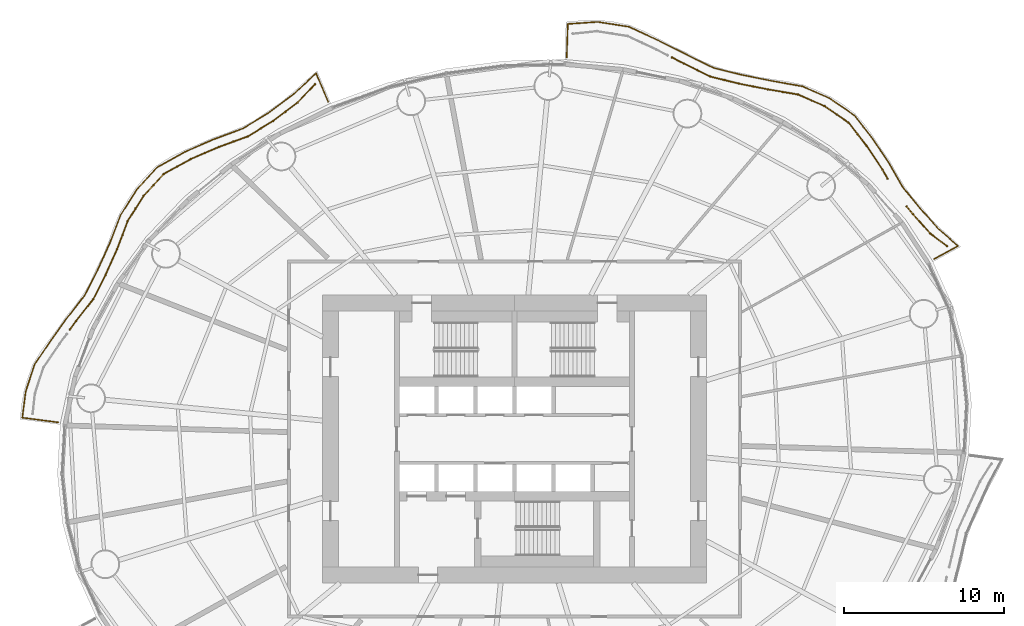
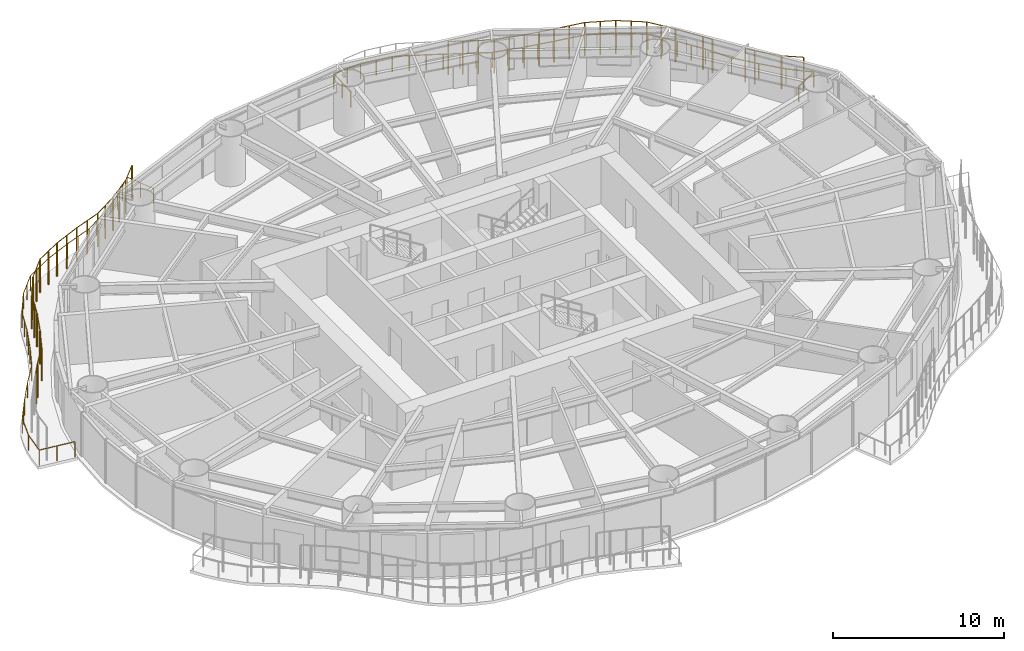
# One storey, part 16 of 17: 5 railings.
"""IFC4 building model written with IfcOpenShell, lengths in metres."""

from ifc_helpers import new_model, si_unit, direction, frame, origin, origin_2d, place, context, subcontext, project, spatial, circle, extrude, material, type_object, element, save


model = new_model("IFC4")

# Units and contexts
model_context = context("Model", 3, precision=1e-05, world=origin(), true_north=direction((0.0, 1.0)))
body_context = subcontext(model_context, "Body", "Model", "MODEL_VIEW")
ifc_project = project(units=[si_unit("LENGTHUNIT", "METRE"), si_unit("AREAUNIT", "SQUARE_METRE"), si_unit("VOLUMEUNIT", "CUBIC_METRE"), si_unit("PLANEANGLEUNIT", "RADIAN"), si_unit("MASSUNIT", "GRAM", prefix="KILO")], contexts=[model_context])

# Site, building, storey
site_placement = place(None, origin())
site = spatial("IfcSite", under=ifc_project, at=site_placement, CompositionType="ELEMENT")
building_placement = place(site_placement, origin())
building = spatial("IfcBuilding", under=site, at=building_placement, Name="Vermilion Reach Broadcast Tower", CompositionType="ELEMENT")
storey_placement = place(building_placement, frame((0.0, 0.0, 76.699951171875)))
storey = spatial("IfcBuildingStorey", under=building, at=storey_placement, Name="L16", CompositionType="ELEMENT", Elevation=76.699951171875)

# Railings
ifc_material_1 = material(Name="Terracotta baguette", Category="masonry")
railing_type_1 = type_object("IfcRailingType", Name="BAGUETTE SCREEN", PredefinedType="USERDEFINED", material=ifc_material_1)
railing_1_placement = place(storey_placement, frame((21.0341796875, 12.06201171875, 0.0)))
element("IfcRailing", 1, at=railing_1_placement, inside=storey, type_object=railing_type_1, Name="Baguette screen L16 group 1 part 1", ObjectType="BAGUETTE SCREEN", PredefinedType="USERDEFINED", context=body_context, shape_type="SweptSolid", body=[
    extrude(circle(Radius=0.030029296875, at=origin_2d()), frame((0.0, 0.0, 2.369873046875), z_axis=(-0.800873849916, 0.598833095713, 0.0), x_axis=(-0.598833095713, -0.800873849916, 0.0)), (0.0, 0.0, 1.0), 1.30615234375),
    extrude(circle(Radius=0.030029296875, at=origin_2d()), frame((-1.046142578125, 0.7822265625, 2.369873046875), z_axis=(-0.666468364824, 0.745533311589, 0.0), x_axis=(-0.745533311589, -0.666468364824, 0.0)), (0.0, 0.0, 1.0), 1.6396484375),
    extrude(circle(Radius=0.030029296875, at=origin_2d()), frame((-2.138916015625, 2.004638671875, 2.369873046875), z_axis=(-0.634532943521, 0.772895816774, 0.0), x_axis=(-0.772895816774, -0.634532943521, 0.0)), (0.0, 0.0, 1.0), 0.605224609375),
    extrude(circle(Radius=0.050048828125, at=origin_2d()), origin(), (0.0, 0.0, 1.0), 2.33984375),
    extrude(circle(Radius=0.050048828125, at=origin_2d()), frame((-1.046142578125, 0.7822265625, 0.0)), (0.0, 0.0, 1.0), 2.33984375),
    extrude(circle(Radius=0.050048828125, at=origin_2d()), frame((-2.138916015625, 2.004638671875, 0.0)), (0.0, 0.0, 1.0), 2.33984375),
    extrude(circle(Radius=0.050048828125, at=origin_2d()), frame((-2.52294921875, 2.472412109375, 0.0)), (0.0, 0.0, 1.0), 2.33984375),
])
railing_2_placement = place(storey_placement, frame((17.315673828125, 16.28125, 0.0)))
element("IfcRailing", 2, at=railing_2_placement, inside=storey, type_object=railing_type_1, Name="Baguette screen L16 group 1 part 2", ObjectType="BAGUETTE SCREEN", PredefinedType="USERDEFINED", context=body_context, shape_type="SweptSolid", body=[
    extrude(circle(Radius=0.030029296875, at=origin_2d()), frame((0.0, 0.0, 2.369873046875), z_axis=(-0.492430800688, 0.870351599374, 0.0), x_axis=(-0.870351599374, -0.492430800688, 0.0)), (0.0, 0.0, 1.0), 0.64599609375),
    extrude(circle(Radius=0.030029296875, at=origin_2d()), frame((-0.318115234375, 0.562255859375, 2.369873046875), z_axis=(-0.556616825669, 0.830769347883, 0.0), x_axis=(-0.830769347883, -0.556616825669, 0.0)), (0.0, 0.0, 1.0), 1.791748046875),
    extrude(circle(Radius=0.030029296875, at=origin_2d()), frame((-1.3154296875, 2.05078125, 2.369873046875), z_axis=(-0.611986280077, 0.79086837906, 0.0), x_axis=(-0.79086837906, -0.611986280077, 0.0)), (0.0, 0.0, 1.0), 1.81787109375),
    extrude(circle(Radius=0.030029296875, at=origin_2d()), frame((-2.427978515625, 3.488525390625, 2.369873046875), z_axis=(-0.822683646869, 0.568499443425, 0.0), x_axis=(-0.568499443425, -0.822683646869, 0.0)), (0.0, 0.0, 1.0), 1.822998046875),
    extrude(circle(Radius=0.030029296875, at=origin_2d()), frame((-3.927734375, 4.52490234375, 2.369873046875), z_axis=(-0.916984905679, 0.398921900573, 0.0), x_axis=(-0.398921900573, -0.916984905679, 0.0)), (0.0, 0.0, 1.0), 1.82373046875),
    extrude(circle(Radius=0.030029296875, at=origin_2d()), frame((-5.60009765625, 5.25244140625, 2.369873046875), z_axis=(-0.985507941268, 0.169629294925, 0.0), x_axis=(-0.169629294925, -0.985507941268, 0.0)), (0.0, 0.0, 1.0), 1.914306640625),
    extrude(circle(Radius=0.030029296875, at=origin_2d()), frame((-7.486572265625, 5.5771484375, 2.369873046875), z_axis=(-0.981113883505, 0.193430989228, 0.0), x_axis=(-0.193430989228, -0.981113883505, 0.0)), (0.0, 0.0, 1.0), 1.83642578125),
    extrude(circle(Radius=0.030029296875, at=origin_2d()), frame((-9.288330078125, 5.932373046875, 2.369873046875), z_axis=(-0.971270243986, 0.237979228395, 0.0), x_axis=(-0.237979228395, -0.971270243986, 0.0)), (0.0, 0.0, 1.0), 1.8291015625),
    extrude(circle(Radius=0.030029296875, at=origin_2d()), frame((-11.06494140625, 6.36767578125, 2.369873046875), z_axis=(-0.896557583124, 0.442927195082, 0.0), x_axis=(-0.442927195082, -0.896557583124, 0.0)), (0.0, 0.0, 1.0), 1.84765625),
    extrude(circle(Radius=0.030029296875, at=origin_2d()), frame((-12.721435546875, 7.18603515625, 2.369873046875), z_axis=(-0.890880975061, 0.454236819593, 0.0), x_axis=(-0.454236819593, -0.890880975061, 0.0)), (0.0, 0.0, 1.0), 0.846435546875),
    extrude(circle(Radius=0.050048828125, at=origin_2d()), origin(), (0.0, 0.0, 1.0), 2.33984375),
    extrude(circle(Radius=0.050048828125, at=origin_2d()), frame((-0.318115234375, 0.562255859375, 0.0)), (0.0, 0.0, 1.0), 2.33984375),
    extrude(circle(Radius=0.050048828125, at=origin_2d()), frame((-1.3154296875, 2.05078125, 0.0)), (0.0, 0.0, 1.0), 2.33984375),
    extrude(circle(Radius=0.050048828125, at=origin_2d()), frame((-1.87158203125, 2.76953125, 0.0)), (0.0, 0.0, 1.0), 2.33984375),
    extrude(circle(Radius=0.050048828125, at=origin_2d()), frame((-2.427978515625, 3.488525390625, 0.0)), (0.0, 0.0, 1.0), 2.33984375),
    extrude(circle(Radius=0.050048828125, at=origin_2d()), frame((-3.177734375, 4.0068359375, 0.0)), (0.0, 0.0, 1.0), 2.33984375),
    extrude(circle(Radius=0.050048828125, at=origin_2d()), frame((-3.927734375, 4.52490234375, 0.0)), (0.0, 0.0, 1.0), 2.33984375),
    extrude(circle(Radius=0.050048828125, at=origin_2d()), frame((-4.763916015625, 4.888671875, 0.0)), (0.0, 0.0, 1.0), 2.33984375),
    extrude(circle(Radius=0.050048828125, at=origin_2d()), frame((-5.60009765625, 5.25244140625, 0.0)), (0.0, 0.0, 1.0), 2.33984375),
    extrude(circle(Radius=0.050048828125, at=origin_2d()), frame((-6.54345703125, 5.414794921875, 0.0)), (0.0, 0.0, 1.0), 2.33984375),
    extrude(circle(Radius=0.050048828125, at=origin_2d()), frame((-7.486572265625, 5.5771484375, 0.0)), (0.0, 0.0, 1.0), 2.33984375),
    extrude(circle(Radius=0.050048828125, at=origin_2d()), frame((-8.387451171875, 5.7548828125, 0.0)), (0.0, 0.0, 1.0), 2.33984375),
    extrude(circle(Radius=0.050048828125, at=origin_2d()), frame((-9.288330078125, 5.932373046875, 0.0)), (0.0, 0.0, 1.0), 2.33984375),
    extrude(circle(Radius=0.050048828125, at=origin_2d()), frame((-10.1767578125, 6.14990234375, 0.0)), (0.0, 0.0, 1.0), 2.33984375),
    extrude(circle(Radius=0.050048828125, at=origin_2d()), frame((-11.06494140625, 6.36767578125, 0.0)), (0.0, 0.0, 1.0), 2.33984375),
    extrude(circle(Radius=0.050048828125, at=origin_2d()), frame((-11.89306640625, 6.77685546875, 0.0)), (0.0, 0.0, 1.0), 2.33984375),
    extrude(circle(Radius=0.050048828125, at=origin_2d()), frame((-12.721435546875, 7.18603515625, 0.0)), (0.0, 0.0, 1.0), 2.33984375),
    extrude(circle(Radius=0.050048828125, at=origin_2d()), frame((-13.4755859375, 7.570556640625, 0.0)), (0.0, 0.0, 1.0), 2.33984375),
])
railing_3_placement = place(storey_placement, frame((-18.466552734375, 22.17529296875, 0.0)))
element("IfcRailing", 3, at=railing_3_placement, inside=storey, type_object=railing_type_1, Name="Baguette screen L16 group 2 part 1", ObjectType="BAGUETTE SCREEN", PredefinedType="USERDEFINED", context=body_context, shape_type="SweptSolid", body=[
    extrude(circle(Radius=0.030029296875, at=origin_2d()), frame((0.0, 0.0, 2.369873046875), z_axis=(-0.688533912002, -0.725204145068, 0.0), x_axis=(0.725204145068, -0.688533912002, 0.0)), (0.0, 0.0, 1.0), 1.577880859375),
    extrude(circle(Radius=0.030029296875, at=origin_2d()), frame((-1.08642578125, -1.144287109375, 2.369873046875), z_axis=(-0.798727996395, -0.601692269997, 0.0), x_axis=(0.601692269997, -0.798727996395, 0.0)), (0.0, 0.0, 1.0), 1.914306640625),
    extrude(circle(Radius=0.030029296875, at=origin_2d()), frame((-2.615478515625, -2.296142578125, 2.369873046875), z_axis=(-0.854534567694, -0.519394525016, 0.0), x_axis=(0.519394525016, -0.854534567694, 0.0)), (0.0, 0.0, 1.0), 1.85107421875),
    extrude(circle(Radius=0.030029296875, at=origin_2d()), frame((-4.197265625, -3.257568359375, 2.369873046875), z_axis=(-0.939012953906, -0.343881770957, 0.0), x_axis=(0.343881770957, -0.939012953906, 0.0)), (0.0, 0.0, 1.0), 1.924072265625),
    extrude(circle(Radius=0.030029296875, at=origin_2d()), frame((-6.00390625, -3.919189453125, 2.369873046875), z_axis=(-0.918544312748, -0.395318030854, 0.0), x_axis=(0.395318030854, -0.918544312748, 0.0)), (0.0, 0.0, 1.0), 1.916259765625),
    extrude(circle(Radius=0.030029296875, at=origin_2d()), frame((-7.76416015625, -4.6767578125, 2.369873046875), z_axis=(-0.875247173289, -0.483675909726, 0.0), x_axis=(0.483675909726, -0.875247173289, 0.0)), (0.0, 0.0, 1.0), 1.9296875),
    extrude(circle(Radius=0.030029296875, at=origin_2d()), frame((-9.453125, -5.610107421875, 2.369873046875), z_axis=(-0.678618561745, -0.734490876495, 0.0), x_axis=(0.734490876495, -0.678618561745, 0.0)), (0.0, 0.0, 1.0), 1.857177734375),
    extrude(circle(Radius=0.030029296875, at=origin_2d()), frame((-10.71337890625, -6.97412109375, 2.369873046875), z_axis=(-0.531683421981, -0.846943173295, 0.0), x_axis=(0.846943173295, -0.531683421981, 0.0)), (0.0, 0.0, 1.0), 1.874755859375),
    extrude(circle(Radius=0.030029296875, at=origin_2d()), frame((-11.710205078125, -8.56201171875, 2.369873046875), z_axis=(-0.351353222661, -0.936242977504, 0.0), x_axis=(0.936242977504, -0.351353222661, 0.0)), (0.0, 0.0, 1.0), 1.86279296875),
    extrude(circle(Radius=0.030029296875, at=origin_2d()), frame((-12.36474609375, -10.30615234375, 2.369873046875), z_axis=(-0.411089849201, -0.911594830988, 0.0), x_axis=(0.911594830988, -0.411089849201, 0.0)), (0.0, 0.0, 1.0), 1.777587890625),
    extrude(circle(Radius=0.030029296875, at=origin_2d()), frame((-13.095458984375, -11.926513671875, 2.369873046875), z_axis=(-0.451931176923, -0.892052807476, 0.0), x_axis=(0.892052807476, -0.451931176923, 0.0)), (0.0, 0.0, 1.0), 1.6953125),
    extrude(circle(Radius=0.030029296875, at=origin_2d()), frame((-13.861572265625, -13.438720703125, 2.369873046875), z_axis=(-0.617970508266, -0.786201278881, 0.0), x_axis=(0.786201278881, -0.617970508266, 0.0)), (0.0, 0.0, 1.0), 1.737060546875),
    extrude(circle(Radius=0.030029296875, at=origin_2d()), frame((-14.93505859375, -14.804443359375, 2.369873046875), z_axis=(-0.588643059156, -0.808393065846, 0.0), x_axis=(0.808393065846, -0.588643059156, 0.0)), (0.0, 0.0, 1.0), 0.646484375),
    extrude(circle(Radius=0.050048828125, at=origin_2d()), origin(), (0.0, 0.0, 1.0), 2.33984375),
    extrude(circle(Radius=0.050048828125, at=origin_2d()), frame((-1.08642578125, -1.144287109375, 0.0)), (0.0, 0.0, 1.0), 2.33984375),
    extrude(circle(Radius=0.050048828125, at=origin_2d()), frame((-1.85107421875, -1.72021484375, 0.0)), (0.0, 0.0, 1.0), 2.33984375),
    extrude(circle(Radius=0.050048828125, at=origin_2d()), frame((-2.615478515625, -2.296142578125, 0.0)), (0.0, 0.0, 1.0), 2.33984375),
    extrude(circle(Radius=0.050048828125, at=origin_2d()), frame((-3.40625, -2.77685546875, 0.0)), (0.0, 0.0, 1.0), 2.33984375),
    extrude(circle(Radius=0.050048828125, at=origin_2d()), frame((-4.197265625, -3.257568359375, 0.0)), (0.0, 0.0, 1.0), 2.33984375),
    extrude(circle(Radius=0.050048828125, at=origin_2d()), frame((-5.1005859375, -3.58837890625, 0.0)), (0.0, 0.0, 1.0), 2.33984375),
    extrude(circle(Radius=0.050048828125, at=origin_2d()), frame((-6.00390625, -3.919189453125, 0.0)), (0.0, 0.0, 1.0), 2.33984375),
    extrude(circle(Radius=0.050048828125, at=origin_2d()), frame((-6.884033203125, -4.2978515625, 0.0)), (0.0, 0.0, 1.0), 2.33984375),
    extrude(circle(Radius=0.050048828125, at=origin_2d()), frame((-7.76416015625, -4.6767578125, 0.0)), (0.0, 0.0, 1.0), 2.33984375),
    extrude(circle(Radius=0.050048828125, at=origin_2d()), frame((-8.608642578125, -5.1435546875, 0.0)), (0.0, 0.0, 1.0), 2.33984375),
    extrude(circle(Radius=0.050048828125, at=origin_2d()), frame((-9.453125, -5.610107421875, 0.0)), (0.0, 0.0, 1.0), 2.33984375),
    extrude(circle(Radius=0.050048828125, at=origin_2d()), frame((-10.083251953125, -6.2919921875, 0.0)), (0.0, 0.0, 1.0), 2.33984375),
    extrude(circle(Radius=0.050048828125, at=origin_2d()), frame((-10.71337890625, -6.97412109375, 0.0)), (0.0, 0.0, 1.0), 2.33984375),
    extrude(circle(Radius=0.050048828125, at=origin_2d()), frame((-11.2119140625, -7.76806640625, 0.0)), (0.0, 0.0, 1.0), 2.33984375),
    extrude(circle(Radius=0.050048828125, at=origin_2d()), frame((-11.710205078125, -8.56201171875, 0.0)), (0.0, 0.0, 1.0), 2.33984375),
    extrude(circle(Radius=0.050048828125, at=origin_2d()), frame((-12.03759765625, -9.43408203125, 0.0)), (0.0, 0.0, 1.0), 2.33984375),
    extrude(circle(Radius=0.050048828125, at=origin_2d()), frame((-12.36474609375, -10.30615234375, 0.0)), (0.0, 0.0, 1.0), 2.33984375),
    extrude(circle(Radius=0.050048828125, at=origin_2d()), frame((-13.095458984375, -11.926513671875, 0.0)), (0.0, 0.0, 1.0), 2.33984375),
    extrude(circle(Radius=0.050048828125, at=origin_2d()), frame((-13.861572265625, -13.438720703125, 0.0)), (0.0, 0.0, 1.0), 2.33984375),
    extrude(circle(Radius=0.050048828125, at=origin_2d()), frame((-14.93505859375, -14.804443359375, 0.0)), (0.0, 0.0, 1.0), 2.33984375),
    extrude(circle(Radius=0.050048828125, at=origin_2d()), frame((-15.315673828125, -15.3271484375, 0.0)), (0.0, 0.0, 1.0), 2.33984375),
])
ifc_material_2 = material(Name="Stainless steel 316 balustrade", Category="steel")
railing_type_2 = type_object("IfcRailingType", Name="Balcony guard 1100", PredefinedType="BALUSTRADE", material=ifc_material_2)
railing_4_placement = place(storey_placement, frame((20.23046875, 11.248291015625, 0.0)))
element("IfcRailing", 4, at=railing_4_placement, inside=storey, type_object=railing_type_2, Name="Balcony guard L16 group 1", PredefinedType="BALUSTRADE", context=body_context, shape_type="SweptSolid", body=[
    extrude(circle(Radius=0.02490234375, at=origin_2d()), frame((0.0, 0.0, 1.0751953125), z_axis=(0.877681562686, 0.479244274376, 0.0), x_axis=(-0.479244274376, 0.877681562686, 0.0)), (0.0, 0.0, 1.0), 1.700927734375),
    extrude(circle(Radius=0.02490234375, at=origin_2d()), frame((1.492919921875, 0.815185546875, 1.0751953125), z_axis=(-0.75136564257, 0.659886104692, 0.0), x_axis=(-0.659886104692, -0.75136564257, 0.0)), (0.0, 0.0, 1.0), 1.66259765625),
    extrude(circle(Radius=0.02490234375, at=origin_2d()), frame((0.24365234375, 1.912353515625, 1.0751953125), z_axis=(-0.664309796436, 0.74745735287, 0.0), x_axis=(-0.74745735287, -0.664309796436, 0.0)), (0.0, 0.0, 1.0), 1.682373046875),
    extrude(circle(Radius=0.02490234375, at=origin_2d()), frame((-0.8740234375, 3.169921875, 1.0751953125), z_axis=(-0.634668928803, 0.772784155384, 0.0), x_axis=(-0.772784155384, -0.634668928803, 0.0)), (0.0, 0.0, 1.0), 1.69873046875),
    extrude(circle(Radius=0.02490234375, at=origin_2d()), frame((-1.9521484375, 4.482666015625, 1.0751953125), z_axis=(-0.497347936852, 0.867551168352, 0.0), x_axis=(-0.867551168352, -0.497347936852, 0.0)), (0.0, 0.0, 1.0), 1.7607421875),
    extrude(circle(Radius=0.02490234375, at=origin_2d()), frame((-2.827880859375, 6.01025390625, 1.0751953125), z_axis=(-0.561051498101, 0.827780898837, 0.0), x_axis=(-0.827780898837, -0.561051498101, 0.0)), (0.0, 0.0, 1.0), 1.83154296875),
    extrude(circle(Radius=0.02490234375, at=origin_2d()), frame((-3.85546875, 7.5263671875, 1.0751953125), z_axis=(-0.615978367801, 0.787763067427, 0.0), x_axis=(-0.787763067427, -0.615978367801, 0.0)), (0.0, 0.0, 1.0), 1.856201171875),
    extrude(circle(Radius=0.02490234375, at=origin_2d()), frame((-4.998779296875, 8.988525390625, 1.0751953125), z_axis=(-0.82273925548, 0.568418962995, 0.0), x_axis=(-0.568418962995, -0.82273925548, 0.0)), (0.0, 0.0, 1.0), 1.8623046875),
    extrude(circle(Radius=0.02490234375, at=origin_2d()), frame((-6.531005859375, 10.047119140625, 1.0751953125), z_axis=(-0.915973545385, 0.401238662339, 0.0), x_axis=(-0.401238662339, -0.915973545385, 0.0)), (0.0, 0.0, 1.0), 1.860595703125),
    extrude(circle(Radius=0.02490234375, at=origin_2d()), frame((-8.2353515625, 10.793701171875, 1.0751953125), z_axis=(-0.984555792976, 0.17507110132, 0.0), x_axis=(-0.17507110132, -0.984555792976, 0.0)), (0.0, 0.0, 1.0), 1.949462890625),
    extrude(circle(Radius=0.02490234375, at=origin_2d()), frame((-10.15478515625, 11.135009765625, 1.0751953125), z_axis=(-0.98029867201, 0.19752091954, 0.0), x_axis=(-0.19752091954, -0.98029867201, 0.0)), (0.0, 0.0, 1.0), 1.871337890625),
    extrude(circle(Radius=0.02490234375, at=origin_2d()), frame((-11.9892578125, 11.504638671875, 1.0751953125), z_axis=(-0.970793755979, 0.239915575469, 0.0), x_axis=(-0.239915575469, -0.970793755979, 0.0)), (0.0, 0.0, 1.0), 1.8642578125),
    extrude(circle(Radius=0.02490234375, at=origin_2d()), frame((-13.799072265625, 11.951904296875, 1.0751953125), z_axis=(-0.897954915266, 0.440087457388, 0.0), x_axis=(-0.440087457388, -0.897954915266, 0.0)), (0.0, 0.0, 1.0), 1.881103515625),
    extrude(circle(Radius=0.02490234375, at=origin_2d()), frame((-15.48828125, 12.77978515625, 1.0751953125), z_axis=(-0.892834739586, 0.450384422232, 0.0), x_axis=(-0.450384422232, -0.892834739586, 0.0)), (0.0, 0.0, 1.0), 1.96923828125),
    extrude(circle(Radius=0.02490234375, at=origin_2d()), frame((-17.24658203125, 13.666748046875, 1.0751953125), z_axis=(-0.906577248505, 0.422039918128, 0.0), x_axis=(-0.422039918128, -0.906577248505, 0.0)), (0.0, 0.0, 1.0), 2.0078125),
    extrude(circle(Radius=0.02490234375, at=origin_2d()), frame((-19.06689453125, 14.51416015625, 1.0751953125), z_axis=(-0.987951608789, 0.154763105072, 0.0), x_axis=(-0.154763105072, -0.987951608789, 0.0)), (0.0, 0.0, 1.0), 1.986083984375),
    extrude(circle(Radius=0.02490234375, at=origin_2d()), frame((-21.029052734375, 14.821533203125, 1.0751953125), z_axis=(-0.997680070473, -0.068076993044, 0.0), x_axis=(0.068076993044, -0.997680070473, 0.0)), (0.0, 0.0, 1.0), 1.8720703125),
    extrude(circle(Radius=0.02490234375, at=origin_2d()), frame((-22.896728515625, 14.694091796875, 1.0751953125), z_axis=(-0.032067808032, -0.99948569559, 0.0), x_axis=(0.99948569559, -0.032067808032, 0.0)), (0.0, 0.0, 1.0), 2.0859375),
    extrude(circle(Radius=0.02490234375, at=origin_2d()), origin(), (0.0, 0.0, 1.0), 1.050048828125),
    extrude(circle(Radius=0.02490234375, at=origin_2d()), frame((1.492919921875, 0.815185546875, 0.0)), (0.0, 0.0, 1.0), 1.050048828125),
    extrude(circle(Radius=0.02490234375, at=origin_2d()), frame((0.24365234375, 1.912353515625, 0.0)), (0.0, 0.0, 1.0), 1.050048828125),
    extrude(circle(Radius=0.02490234375, at=origin_2d()), frame((-0.8740234375, 3.169921875, 0.0)), (0.0, 0.0, 1.0), 1.050048828125),
    extrude(circle(Radius=0.02490234375, at=origin_2d()), frame((-1.9521484375, 4.482666015625, 0.0)), (0.0, 0.0, 1.0), 1.050048828125),
    extrude(circle(Radius=0.02490234375, at=origin_2d()), frame((-2.827880859375, 6.01025390625, 0.0)), (0.0, 0.0, 1.0), 1.050048828125),
    extrude(circle(Radius=0.02490234375, at=origin_2d()), frame((-3.341796875, 6.768310546875, 0.0)), (0.0, 0.0, 1.0), 1.050048828125),
    extrude(circle(Radius=0.02490234375, at=origin_2d()), frame((-3.85546875, 7.5263671875, 0.0)), (0.0, 0.0, 1.0), 1.050048828125),
    extrude(circle(Radius=0.02490234375, at=origin_2d()), frame((-4.42724609375, 8.25732421875, 0.0)), (0.0, 0.0, 1.0), 1.050048828125),
    extrude(circle(Radius=0.02490234375, at=origin_2d()), frame((-4.998779296875, 8.988525390625, 0.0)), (0.0, 0.0, 1.0), 1.050048828125),
    extrude(circle(Radius=0.02490234375, at=origin_2d()), frame((-5.764892578125, 9.517822265625, 0.0)), (0.0, 0.0, 1.0), 1.050048828125),
    extrude(circle(Radius=0.02490234375, at=origin_2d()), frame((-6.531005859375, 10.047119140625, 0.0)), (0.0, 0.0, 1.0), 1.050048828125),
    extrude(circle(Radius=0.02490234375, at=origin_2d()), frame((-7.38330078125, 10.42041015625, 0.0)), (0.0, 0.0, 1.0), 1.050048828125),
    extrude(circle(Radius=0.02490234375, at=origin_2d()), frame((-8.2353515625, 10.793701171875, 0.0)), (0.0, 0.0, 1.0), 1.050048828125),
    extrude(circle(Radius=0.02490234375, at=origin_2d()), frame((-9.195068359375, 10.96435546875, 0.0)), (0.0, 0.0, 1.0), 1.050048828125),
    extrude(circle(Radius=0.02490234375, at=origin_2d()), frame((-10.15478515625, 11.135009765625, 0.0)), (0.0, 0.0, 1.0), 1.050048828125),
    extrude(circle(Radius=0.02490234375, at=origin_2d()), frame((-11.072021484375, 11.31982421875, 0.0)), (0.0, 0.0, 1.0), 1.050048828125),
    extrude(circle(Radius=0.02490234375, at=origin_2d()), frame((-11.9892578125, 11.504638671875, 0.0)), (0.0, 0.0, 1.0), 1.050048828125),
    extrude(circle(Radius=0.02490234375, at=origin_2d()), frame((-12.89404296875, 11.728271484375, 0.0)), (0.0, 0.0, 1.0), 1.050048828125),
    extrude(circle(Radius=0.02490234375, at=origin_2d()), frame((-13.799072265625, 11.951904296875, 0.0)), (0.0, 0.0, 1.0), 1.050048828125),
    extrude(circle(Radius=0.02490234375, at=origin_2d()), frame((-14.6435546875, 12.36572265625, 0.0)), (0.0, 0.0, 1.0), 1.050048828125),
    extrude(circle(Radius=0.02490234375, at=origin_2d()), frame((-15.48828125, 12.77978515625, 0.0)), (0.0, 0.0, 1.0), 1.050048828125),
    extrude(circle(Radius=0.02490234375, at=origin_2d()), frame((-16.367431640625, 13.22314453125, 0.0)), (0.0, 0.0, 1.0), 1.050048828125),
    extrude(circle(Radius=0.02490234375, at=origin_2d()), frame((-17.24658203125, 13.666748046875, 0.0)), (0.0, 0.0, 1.0), 1.050048828125),
    extrude(circle(Radius=0.02490234375, at=origin_2d()), frame((-18.15673828125, 14.09033203125, 0.0)), (0.0, 0.0, 1.0), 1.050048828125),
    extrude(circle(Radius=0.02490234375, at=origin_2d()), frame((-19.06689453125, 14.51416015625, 0.0)), (0.0, 0.0, 1.0), 1.050048828125),
    extrude(circle(Radius=0.02490234375, at=origin_2d()), frame((-20.0478515625, 14.66796875, 0.0)), (0.0, 0.0, 1.0), 1.050048828125),
    extrude(circle(Radius=0.02490234375, at=origin_2d()), frame((-21.029052734375, 14.821533203125, 0.0)), (0.0, 0.0, 1.0), 1.050048828125),
    extrude(circle(Radius=0.02490234375, at=origin_2d()), frame((-21.962890625, 14.7578125, 0.0)), (0.0, 0.0, 1.0), 1.050048828125),
    extrude(circle(Radius=0.02490234375, at=origin_2d()), frame((-22.896728515625, 14.694091796875, 0.0)), (0.0, 0.0, 1.0), 1.050048828125),
    extrude(circle(Radius=0.02490234375, at=origin_2d()), frame((-22.93017578125, 13.651611328125, 0.0)), (0.0, 0.0, 1.0), 1.050048828125),
    extrude(circle(Radius=0.02490234375, at=origin_2d()), frame((-22.963623046875, 12.609130859375, 0.0)), (0.0, 0.0, 1.0), 1.050048828125),
])
railing_5_placement = place(storey_placement, frame((-17.643798828125, 21.077880859375, 0.0)))
element("IfcRailing", 5, at=railing_5_placement, inside=storey, type_object=railing_type_2, Name="Balcony guard L16 group 2", PredefinedType="BALUSTRADE", context=body_context, shape_type="SweptSolid", body=[
    extrude(circle(Radius=0.02490234375, at=origin_2d()), frame((0.0, 0.0, 1.0751953125), z_axis=(-0.390098124955, 0.920773290722, 0.0), x_axis=(-0.920773290722, -0.390098124955, 0.0)), (0.0, 0.0, 1.0), 1.929443359375),
    extrude(circle(Radius=0.02490234375, at=origin_2d()), frame((-0.752685546875, 1.776611328125, 1.0751953125), z_axis=(-0.734881404123, -0.678195636873, 0.0), x_axis=(0.678195636873, -0.734881404123, 0.0)), (0.0, 0.0, 1.0), 1.9208984375),
    extrude(circle(Radius=0.02490234375, at=origin_2d()), frame((-2.164306640625, 0.473876953125, 1.0751953125), z_axis=(-0.800391121057, -0.599478150839, 0.0), x_axis=(0.599478150839, -0.800391121057, 0.0)), (0.0, 0.0, 1.0), 1.94677734375),
    extrude(circle(Radius=0.02490234375, at=origin_2d()), frame((-3.722412109375, -0.693115234375, 1.0751953125), z_axis=(-0.854586225837, -0.51930952486, 0.0), x_axis=(0.51930952486, -0.854586225837, 0.0)), (0.0, 0.0, 1.0), 1.8837890625),
    extrude(circle(Radius=0.02490234375, at=origin_2d()), frame((-5.332275390625, -1.67138671875, 1.0751953125), z_axis=(-0.937559000311, -0.347826279823, 0.0), x_axis=(0.347826279823, -0.937559000311, 0.0)), (0.0, 0.0, 1.0), 1.956787109375),
    extrude(circle(Radius=0.02490234375, at=origin_2d()), frame((-7.1669921875, -2.35205078125, 1.0751953125), z_axis=(-0.916802993968, -0.399339792973, 0.0), x_axis=(0.399339792973, -0.916802993968, 0.0)), (0.0, 0.0, 1.0), 1.948974609375),
    extrude(circle(Radius=0.02490234375, at=origin_2d()), frame((-8.953857421875, -3.13037109375, 1.0751953125), z_axis=(-0.873441130906, -0.48692975966, 0.0), x_axis=(0.48692975966, -0.873441130906, 0.0)), (0.0, 0.0, 1.0), 1.96435546875),
    extrude(circle(Radius=0.02490234375, at=origin_2d()), frame((-10.669677734375, -4.0869140625, 1.0751953125), z_axis=(-0.679361724086, -0.733803548538, 0.0), x_axis=(0.733803548538, -0.679361724086, 0.0)), (0.0, 0.0, 1.0), 1.892333984375),
    extrude(circle(Radius=0.02490234375, at=origin_2d()), frame((-11.955322265625, -5.4755859375, 1.0751953125), z_axis=(-0.534468597011, -0.845188333337, 0.0), x_axis=(0.845188333337, -0.534468597011, 0.0)), (0.0, 0.0, 1.0), 1.91162109375),
    extrude(circle(Radius=0.02490234375, at=origin_2d()), frame((-12.97705078125, -7.09130859375, 1.0751953125), z_axis=(-0.356866856061, -0.934155258533, 0.0), x_axis=(0.934155258533, -0.356866856061, 0.0)), (0.0, 0.0, 1.0), 1.8984375),
    extrude(circle(Radius=0.02490234375, at=origin_2d()), frame((-13.654541015625, -8.86474609375, 1.0751953125), z_axis=(-0.414602959401, -0.910002409918, 0.0), x_axis=(0.910002409918, -0.414602959401, 0.0)), (0.0, 0.0, 1.0), 1.81591796875),
    extrude(circle(Radius=0.02490234375, at=origin_2d()), frame((-14.407470703125, -10.517333984375, 1.0751953125), z_axis=(-0.453172733674, -0.891422724331, 0.0), x_axis=(0.891422724331, -0.453172733674, 0.0)), (0.0, 0.0, 1.0), 1.734130859375),
    extrude(circle(Radius=0.02490234375, at=origin_2d()), frame((-15.193359375, -12.063232421875, 1.0751953125), z_axis=(-0.614273318073, -0.789093334596, 0.0), x_axis=(0.789093334596, -0.614273318073, 0.0)), (0.0, 0.0, 1.0), 1.77783203125),
    extrude(circle(Radius=0.02490234375, at=origin_2d()), frame((-16.285400390625, -13.466064453125, 1.0751953125), z_axis=(-0.584301106618, -0.811536947283, 0.0), x_axis=(0.811536947283, -0.584301106618, 0.0)), (0.0, 0.0, 1.0), 1.777099609375),
    extrude(circle(Radius=0.02490234375, at=origin_2d()), frame((-17.32373046875, -14.908203125, 1.0751953125), z_axis=(-0.560175340435, -0.828374062829, 0.0), x_axis=(0.828374062829, -0.560175340435, 0.0)), (0.0, 0.0, 1.0), 1.837890625),
    extrude(circle(Radius=0.02490234375, at=origin_2d()), frame((-18.353271484375, -16.4306640625, 1.0751953125), z_axis=(-0.310613743805, -0.950536218226, 0.0), x_axis=(0.950536218226, -0.310613743805, 0.0)), (0.0, 0.0, 1.0), 1.762939453125),
    extrude(circle(Radius=0.02490234375, at=origin_2d()), frame((-18.90087890625, -18.1064453125, 1.0751953125), z_axis=(-0.130136635099, -0.991496069687, 0.0), x_axis=(0.991496069687, -0.130136635099, 0.0)), (0.0, 0.0, 1.0), 1.64892578125),
    extrude(circle(Radius=0.02490234375, at=origin_2d()), frame((-19.115478515625, -19.741455078125, 1.0751953125), z_axis=(0.991413013394, -0.130767874012, 0.0), x_axis=(0.130767874012, 0.991413013394, 0.0)), (0.0, 0.0, 1.0), 2.257080078125),
    extrude(circle(Radius=0.02490234375, at=origin_2d()), origin(), (0.0, 0.0, 1.0), 1.050048828125),
    extrude(circle(Radius=0.02490234375, at=origin_2d()), frame((-0.37646484375, 0.88818359375, 0.0)), (0.0, 0.0, 1.0), 1.050048828125),
    extrude(circle(Radius=0.02490234375, at=origin_2d()), frame((-0.752685546875, 1.776611328125, 0.0)), (0.0, 0.0, 1.0), 1.050048828125),
    extrude(circle(Radius=0.02490234375, at=origin_2d()), frame((-1.45849609375, 1.125244140625, 0.0)), (0.0, 0.0, 1.0), 1.050048828125),
    extrude(circle(Radius=0.02490234375, at=origin_2d()), frame((-2.164306640625, 0.473876953125, 0.0)), (0.0, 0.0, 1.0), 1.050048828125),
    extrude(circle(Radius=0.02490234375, at=origin_2d()), frame((-2.943359375, -0.109619140625, 0.0)), (0.0, 0.0, 1.0), 1.050048828125),
    extrude(circle(Radius=0.02490234375, at=origin_2d()), frame((-3.722412109375, -0.693115234375, 0.0)), (0.0, 0.0, 1.0), 1.050048828125),
    extrude(circle(Radius=0.02490234375, at=origin_2d()), frame((-4.52734375, -1.18212890625, 0.0)), (0.0, 0.0, 1.0), 1.050048828125),
    extrude(circle(Radius=0.02490234375, at=origin_2d()), frame((-5.332275390625, -1.67138671875, 0.0)), (0.0, 0.0, 1.0), 1.050048828125),
    extrude(circle(Radius=0.02490234375, at=origin_2d()), frame((-6.24951171875, -2.01171875, 0.0)), (0.0, 0.0, 1.0), 1.050048828125),
    extrude(circle(Radius=0.02490234375, at=origin_2d()), frame((-7.1669921875, -2.35205078125, 0.0)), (0.0, 0.0, 1.0), 1.050048828125),
    extrude(circle(Radius=0.02490234375, at=origin_2d()), frame((-8.060546875, -2.7412109375, 0.0)), (0.0, 0.0, 1.0), 1.050048828125),
    extrude(circle(Radius=0.02490234375, at=origin_2d()), frame((-8.953857421875, -3.13037109375, 0.0)), (0.0, 0.0, 1.0), 1.050048828125),
    extrude(circle(Radius=0.02490234375, at=origin_2d()), frame((-9.811767578125, -3.608642578125, 0.0)), (0.0, 0.0, 1.0), 1.050048828125),
    extrude(circle(Radius=0.02490234375, at=origin_2d()), frame((-10.669677734375, -4.0869140625, 0.0)), (0.0, 0.0, 1.0), 1.050048828125),
    extrude(circle(Radius=0.02490234375, at=origin_2d()), frame((-11.3125, -4.78125, 0.0)), (0.0, 0.0, 1.0), 1.050048828125),
    extrude(circle(Radius=0.02490234375, at=origin_2d()), frame((-11.955322265625, -5.4755859375, 0.0)), (0.0, 0.0, 1.0), 1.050048828125),
    extrude(circle(Radius=0.02490234375, at=origin_2d()), frame((-12.46630859375, -6.283447265625, 0.0)), (0.0, 0.0, 1.0), 1.050048828125),
    extrude(circle(Radius=0.02490234375, at=origin_2d()), frame((-12.97705078125, -7.09130859375, 0.0)), (0.0, 0.0, 1.0), 1.050048828125),
    extrude(circle(Radius=0.02490234375, at=origin_2d()), frame((-13.31591796875, -7.97802734375, 0.0)), (0.0, 0.0, 1.0), 1.050048828125),
    extrude(circle(Radius=0.02490234375, at=origin_2d()), frame((-13.654541015625, -8.86474609375, 0.0)), (0.0, 0.0, 1.0), 1.050048828125),
    extrude(circle(Radius=0.02490234375, at=origin_2d()), frame((-14.031005859375, -9.69091796875, 0.0)), (0.0, 0.0, 1.0), 1.050048828125),
    extrude(circle(Radius=0.02490234375, at=origin_2d()), frame((-14.407470703125, -10.517333984375, 0.0)), (0.0, 0.0, 1.0), 1.050048828125),
    extrude(circle(Radius=0.02490234375, at=origin_2d()), frame((-15.193359375, -12.063232421875, 0.0)), (0.0, 0.0, 1.0), 1.050048828125),
    extrude(circle(Radius=0.02490234375, at=origin_2d()), frame((-16.285400390625, -13.466064453125, 0.0)), (0.0, 0.0, 1.0), 1.050048828125),
    extrude(circle(Radius=0.02490234375, at=origin_2d()), frame((-17.32373046875, -14.908203125, 0.0)), (0.0, 0.0, 1.0), 1.050048828125),
    extrude(circle(Radius=0.02490234375, at=origin_2d()), frame((-17.83837890625, -15.66943359375, 0.0)), (0.0, 0.0, 1.0), 1.050048828125),
    extrude(circle(Radius=0.02490234375, at=origin_2d()), frame((-18.353271484375, -16.4306640625, 0.0)), (0.0, 0.0, 1.0), 1.050048828125),
    extrude(circle(Radius=0.02490234375, at=origin_2d()), frame((-18.90087890625, -18.1064453125, 0.0)), (0.0, 0.0, 1.0), 1.050048828125),
    extrude(circle(Radius=0.02490234375, at=origin_2d()), frame((-19.115478515625, -19.741455078125, 0.0)), (0.0, 0.0, 1.0), 1.050048828125),
    extrude(circle(Radius=0.02490234375, at=origin_2d()), frame((-17.99658203125, -19.88916015625, 0.0)), (0.0, 0.0, 1.0), 1.050048828125),
    extrude(circle(Radius=0.02490234375, at=origin_2d()), frame((-16.877685546875, -20.03662109375, 0.0)), (0.0, 0.0, 1.0), 1.050048828125),
])

save(model, "model.ifc")
